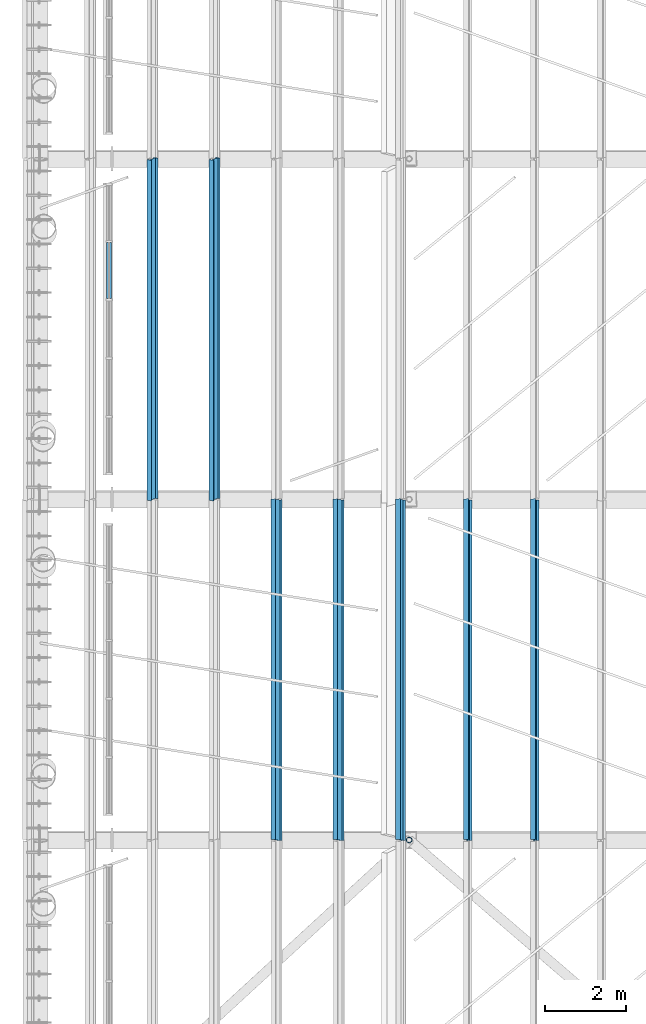
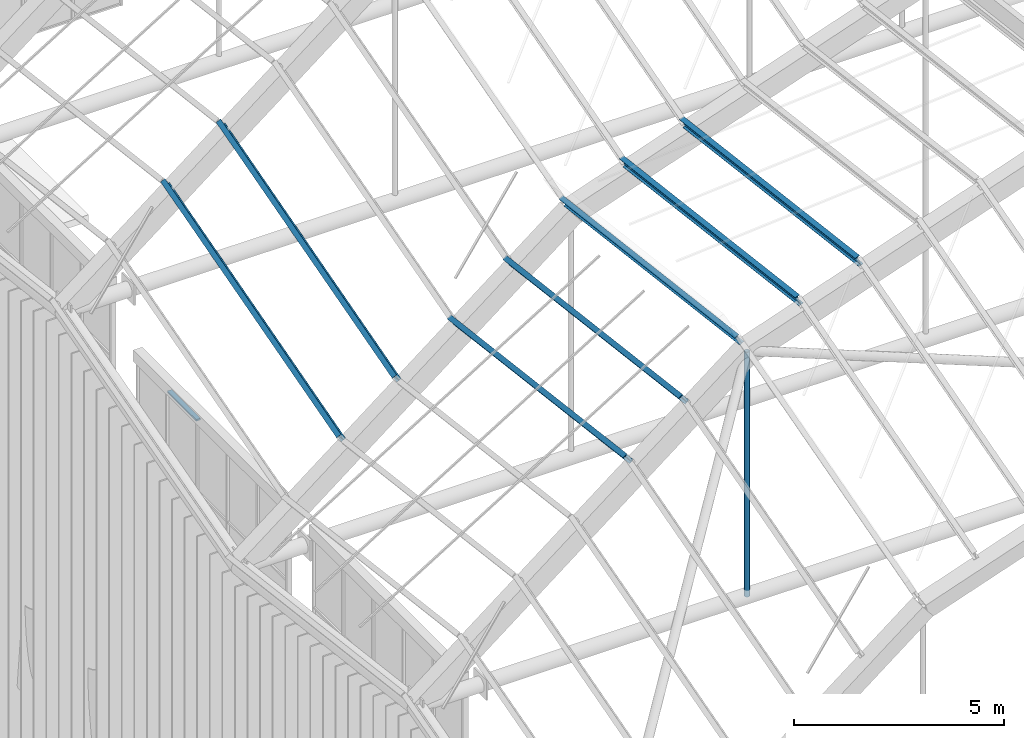
# One storey, part 21 of 126: 9 members, 1 element without a shape of its own.
"""IFC4 building model written with IfcOpenShell, lengths in metres."""

import ifcopenshell
import ifcopenshell.guid

model = None  # the IFC model being written
_history = None  # IfcOwnerHistory: only IFC2X3 demands one
_inside = {}  # id of a spatial element -> (the spatial element, [elements in it])
_under = {}  # id of a project, library or spatial element -> (it, [spatial elements below it])
_declared = {}  # id of a project -> (the project, [libraries it declares])
_typed = {}  # id of a type object -> (the type object, [elements of that type])
_made_of = {}  # id of a material, layer set ... -> (it, [elements and type objects made of it])


def new_model(schema):
    """Start an empty IFC model of exactly this schema.

    Asked for "IFC4X3", IfcOpenShell would pick the latest addendum, in which some entities
    have other attributes; the version numbers below select the first issue.
    IFC2X3 requires an IfcOwnerHistory on every rooted entity: one is made here for all.
    """
    global model, _history
    if schema == "IFC4X3":
        model = ifcopenshell.file(schema_version=(4, 3, 0, 0))
    else:
        model = ifcopenshell.file(schema=schema)
    _inside.clear()
    _under.clear()
    _declared.clear()
    _typed.clear()
    _made_of.clear()
    _history = None
    if model.schema == "IFC2X3":
        org = make("IfcOrganization", Name="unknown")
        user = make(
            "IfcPersonAndOrganization",
            ThePerson=make("IfcPerson", FamilyName="unknown"),
            TheOrganization=org,
        )
        app = make(
            "IfcApplication",
            ApplicationDeveloper=org,
            Version="unknown",
            ApplicationFullName="unknown",
            ApplicationIdentifier="unknown",
        )
        _history = make(
            "IfcOwnerHistory",
            OwningUser=user,
            OwningApplication=app,
            ChangeAction="ADDED",
            CreationDate=0,
        )
    return model


def make(cls, **values):
    """One entity of the class cls with the attributes given. An attribute that is None is left unset."""
    return model.create_entity(
        cls, **{name: value for name, value in values.items() if value is not None}
    )


def rooted(cls, **values):
    """An entity with a GlobalId (a new one), such as an element, a storey or a relation."""
    return make(cls, GlobalId=ifcopenshell.guid.new(), OwnerHistory=_history, **values)


def si_unit(unit_type, name, prefix=None):
    """IfcSIUnit, for example si_unit("LENGTHUNIT", "METRE", prefix="MILLI")."""
    return make("IfcSIUnit", UnitType=unit_type, Prefix=prefix, Name=name)


def assignment(units):
    """IfcUnitAssignment: the units of a project."""
    return None if units is None else make("IfcUnitAssignment", Units=units)


def point(xyz):
    """IfcCartesianPoint."""
    return None if xyz is None else make("IfcCartesianPoint", Coordinates=xyz)


def direction(xyz):
    """IfcDirection."""
    return None if xyz is None else make("IfcDirection", DirectionRatios=xyz)


def frame(location, z_axis=None, x_axis=None):
    """IfcAxis2Placement3D, a coordinate frame: its origin and axes. An axis left out is left unset."""
    return make(
        "IfcAxis2Placement3D",
        Location=point(location),
        Axis=direction(z_axis),
        RefDirection=direction(x_axis),
    )


def frame_2d(location, x_axis=None):
    """IfcAxis2Placement2D, a coordinate frame in the plane: its origin and x axis."""
    return make(
        "IfcAxis2Placement2D", Location=point(location), RefDirection=direction(x_axis)
    )


def origin():
    """The frame at (0, 0, 0) with its axes left unset."""
    return frame((0.0, 0.0, 0.0))


def origin_2d():
    """The frame at (0, 0) in the plane with its x axis left unset."""
    return frame_2d((0.0, 0.0))


def place(relative_to, where):
    """IfcLocalPlacement: puts the frame where relative to a parent placement (None: the world)."""
    return make(
        "IfcLocalPlacement", PlacementRelTo=relative_to, RelativePlacement=where
    )


def context(
    kind, dimensions, precision=None, world=None, true_north=None, identifier=None
):
    """IfcGeometricRepresentationContext, for example the 3D "Model" context."""
    return make(
        "IfcGeometricRepresentationContext",
        ContextIdentifier=identifier,
        ContextType=kind,
        CoordinateSpaceDimension=dimensions,
        Precision=precision,
        WorldCoordinateSystem=world,
        TrueNorth=true_north,
    )


def subcontext(parent, identifier, kind, view, scale=None):
    """IfcGeometricRepresentationSubContext, for example "Body" below "Model"."""
    return make(
        "IfcGeometricRepresentationSubContext",
        ContextIdentifier=identifier,
        ContextType=kind,
        ParentContext=parent,
        TargetScale=scale,
        TargetView=view,
    )


def project(units=None, contexts=None):
    """IfcProject with its units and contexts."""
    return rooted(
        "IfcProject",
        Name="project",
        RepresentationContexts=contexts,
        UnitsInContext=assignment(units),
    )


def spatial(cls, under=None, at=None, **own):
    """A site, building, storey or space (cls), placed at a placement, below another one or the project."""
    s = rooted(cls, ObjectPlacement=at, **own)
    if under is not None:
        _under.setdefault(under.id(), (under, []))[1].append(s)
    return s


def profile(cls, at=None, kind="AREA", **sizes):
    """A parametric profile (cls). Its sizes go by their IFC names, for example OverallWidth=200.0."""
    return make(cls, ProfileType=kind, Position=at, **sizes)


def rectangle(**sizes):
    """IfcRectangleProfileDef."""
    return profile("IfcRectangleProfileDef", **sizes)


def hollow_circle(**sizes):
    """IfcCircleHollowProfileDef."""
    return profile("IfcCircleHollowProfileDef", **sizes)


def i_section(**sizes):
    """IfcIShapeProfileDef."""
    return profile("IfcIShapeProfileDef", **sizes)


def extrude(swept, where, along, depth):
    """IfcExtrudedAreaSolid: the profile swept, set in the frame where, extruded along a direction by depth."""
    return make(
        "IfcExtrudedAreaSolid",
        SweptArea=swept,
        Position=where,
        ExtrudedDirection=direction(along),
        Depth=depth,
    )


def shape(context_of_items, identifier, shape_type, items):
    """IfcShapeRepresentation: the items that make up one representation, for example the "Body"."""
    return make(
        "IfcShapeRepresentation",
        ContextOfItems=context_of_items,
        RepresentationIdentifier=identifier,
        RepresentationType=shape_type,
        Items=items,
    )


def material(Name=None, Category=None):
    """IfcMaterial."""
    return make("IfcMaterial", Name=Name, Category=Category)


def material_profile(
    of_material, cross_section, Name=None, Category=None, Priority=None
):
    """IfcMaterialProfile: a cross section and its material."""
    return make(
        "IfcMaterialProfile",
        Name=Name,
        Material=of_material,
        Profile=cross_section,
        Priority=Priority,
        Category=Category,
    )


def profile_set(profiles, Name=None, composite=None):
    """IfcMaterialProfileSet."""
    return make(
        "IfcMaterialProfileSet",
        Name=Name,
        MaterialProfiles=profiles,
        CompositeProfile=composite,
    )


def made_of(thing, what):
    """Note that an element or type object is made of a material, layer set ...; save() writes the relation."""
    if what is not None:
        _made_of.setdefault(what.id(), (what, []))[1].append(thing)
    return thing


def type_object(cls, material=None, **own):
    """A type object (cls), such as IfcWallType, which elements share."""
    return made_of(rooted(cls, **own), material)


def element(
    cls,
    number,
    at=None,
    inside=None,
    cuts=None,
    type_object=None,
    material=None,
    context=None,
    identifier="Body",
    shape_type=None,
    held_by="IfcProductDefinitionShape",
    body=None,
    shapes=None,
    **own,
):
    """One element of the class cls, such as IfcWall. Its Tag is "e" and its number.

    at: its placement. inside: the storey or other place that contains it. cuts: it is an
    opening in that element (IfcRelVoidsElement). A single representation is given by context,
    identifier, shape_type and body (its items); several are given by shapes. held_by: the class
    of the entity that holds the representations. save() writes the other relations.
    """
    e = rooted(cls, Tag="e%d" % number, ObjectPlacement=at, **own)
    if body is not None:
        shapes = [shape(context, identifier, shape_type, body)]
    if shapes is not None:
        e.Representation = make(held_by, Representations=shapes)
    if inside is not None:
        _inside.setdefault(inside.id(), (inside, []))[1].append(e)
    if cuts is not None:
        rooted(
            "IfcRelVoidsElement", RelatingBuildingElement=cuts, RelatedOpeningElement=e
        )
    if type_object is not None:
        _typed.setdefault(type_object.id(), (type_object, []))[1].append(e)
    return made_of(e, material)


def aggregate(whole, parts):
    """IfcRelAggregates: a whole, such as a stair, and the parts it consists of."""
    return rooted("IfcRelAggregates", RelatingObject=whole, RelatedObjects=parts)


def save(model, path):
    """Write the relations noted so far, then the file.

    IfcRelAggregates (storeys below a building ...), IfcRelContainedInSpatialStructure (elements
    in a storey), IfcRelDefinesByType, IfcRelAssociatesMaterial and IfcRelDeclares: one each for
    every whole, place, type object, material and project.
    """
    for whole, parts in _under.values():
        aggregate(whole, parts)
    for where, things in _inside.values():
        rooted(
            "IfcRelContainedInSpatialStructure",
            RelatedElements=things,
            RelatingStructure=where,
        )
    for kind, things in _typed.values():
        rooted("IfcRelDefinesByType", RelatedObjects=things, RelatingType=kind)
    for what, things in _made_of.values():
        rooted("IfcRelAssociatesMaterial", RelatedObjects=things, RelatingMaterial=what)
    for by, libraries in _declared.values():
        rooted("IfcRelDeclares", RelatingContext=by, RelatedDefinitions=libraries)
    model.write(path)


model = new_model("IFC4")

# Units and contexts
model_context = context("Model", 3, precision=1e-05, world=origin(), true_north=direction((0.0, 1.0)))
body_context = subcontext(model_context, "Body", "Model", "MODEL_VIEW")
ifc_project = project(units=[si_unit("LENGTHUNIT", "METRE"), si_unit("AREAUNIT", "SQUARE_METRE"), si_unit("VOLUMEUNIT", "CUBIC_METRE"), si_unit("PLANEANGLEUNIT", "RADIAN"), si_unit("MASSUNIT", "GRAM", prefix="KILO")], contexts=[model_context])

# Site, building, storey
site_placement = place(None, origin())
site = spatial("IfcSite", under=ifc_project, at=site_placement, CompositionType="ELEMENT")
building_placement = place(site_placement, origin())
building = spatial("IfcBuilding", under=site, at=building_placement, Name="Sava Quay Ferry Terminal", CompositionType="ELEMENT")
storey_placement = place(building_placement, frame((0.0, 0.0, 15.0)))
storey = spatial("IfcBuildingStorey", under=building, at=storey_placement, Name="L03", CompositionType="ELEMENT", Elevation=15.0)

# Members
ifc_material_1 = material(Name="Steel S355", Category="steel")
ifc_material_profile_1 = material_profile(ifc_material_1, i_section(OverallWidth=0.135009765625, OverallDepth=0.27001953125, WebThickness=0.006591796875, FlangeThickness=0.01025390625, at=origin_2d()), Name="IPE 270")
ifc_profile_set_1 = profile_set([ifc_material_profile_1], Name="Steel S355")
member_type_1 = type_object("IfcMemberType", Name="Roof purlin IPE 270", PredefinedType="PURLIN", material=ifc_profile_set_1)
for number, where, z_axis, x_axis, name in (
    (1, (47.8583984375, 58.800048828125, 15.888671875), (0.0, 0.992379601397, -0.123218207788), (-0.790288110365, -0.075500161074, -0.608066138091), "Departure hall purlin bay 2 M0.4"),
    (2, (49.3896484375, 58.800048828125, 17.0849609375), (0.0, 0.992379601397, -0.123218207788), (-0.790288110365, -0.075500161074, -0.608066138091), "Departure hall purlin bay 2 M0.5"),
    (3, (50.920654296875, 58.800048828125, 18.28125), (0.0, 0.992379601397, -0.123218207788), (-0.880257827598, -0.058466508152, -0.4708798407), "Departure hall purlin bay 2 V1"),
    (4, (52.572021484375, 58.800048828125, 18.849853515625), (0.0, 0.992379601397, -0.123218207788), (-0.946280328205, -0.039842287, -0.320883362952), "Departure hall purlin bay 2 M1.1"),
    (5, (54.22314453125, 58.800048828125, 19.41845703125), (0.0, 0.992379601397, -0.123218207788), (-0.946280328205, -0.039842287, -0.320883362952), "Departure hall purlin bay 2 M1.2"),
):
    element("IfcMember", number, at=place(storey_placement, frame(where, z_axis=z_axis, x_axis=x_axis)), inside=storey, type_object=member_type_1, Name=name, PredefinedType="PURLIN", context=body_context, shape_type="SweptSolid", body=[
        extrude(i_section(OverallWidth=0.135009765625, OverallDepth=0.27001953125, WebThickness=0.006591796875, FlangeThickness=0.01025390625, at=origin_2d()), origin(), (0.0, 0.0, 1.0), 8.46435546875),
    ])
for number, where, z_axis, x_axis, name in (
    (6, (44.80078125, 67.199951171875, 12.467529296875), (0.0, 0.962810996405, 0.270175841262), (-0.799142410931, 0.162413978801, -0.578785890067), "Departure hall purlin bay 3 M0.2"),
    (7, (46.33203125, 67.199951171875, 13.663818359375), (0.0, 0.962818275279, 0.270149900588), (-0.799142410931, 0.162398384779, -0.578790265703), "Departure hall purlin bay 3 M0.3"),
):
    element("IfcMember", number, at=place(storey_placement, frame(where, z_axis=z_axis, x_axis=x_axis)), inside=storey, type_object=member_type_1, Name=name, PredefinedType="PURLIN", context=body_context, shape_type="SweptSolid", body=[
        extrude(i_section(OverallWidth=0.135009765625, OverallDepth=0.27001953125, WebThickness=0.006591796875, FlangeThickness=0.01025390625, at=origin_2d()), origin(), (0.0, 0.0, 1.0), 8.724609375),
    ])
ifc_material_2 = material(Name="Steel S355", Category="steel")
ifc_material_profile_2 = material_profile(ifc_material_2, hollow_circle(Radius=0.06982421875, WallThickness=0.008056640625, at=origin_2d()), Name="CHS 139.7 x 8.0")
ifc_profile_set_2 = profile_set([ifc_material_profile_2], Name="Steel S355")
member_type_2 = type_object("IfcMemberType", Name="Tie hanger CHS 139.7x8", PredefinedType="USERDEFINED", material=ifc_profile_set_2)
member_1_placement = place(storey_placement, frame((51.1298828125, 58.800048828125, 10.757080078125), z_axis=(0.0, 0.0, 1.0), x_axis=(1.0, 0.0, 0.0)))
element("IfcMember", 8, at=member_1_placement, inside=storey, type_object=member_type_2, Name="Departure hall tie hanger R1 V1", ObjectType="TIE HANGER", PredefinedType="USERDEFINED", context=body_context, shape_type="SweptSolid", body=[
    extrude(hollow_circle(Radius=0.06982421875, WallThickness=0.008056640625, at=origin_2d()), origin(), (0.0, 0.0, 1.0), 7.133056640625),
])

# Curtain wall, member
ifc_material_3 = material(Name="Aluminium and glass curtain wall, double low-e glazed", Category="aluminium")
curtain_wall_type = type_object("IfcCurtainWallType", Name="Curtain wall CW-F flank", PredefinedType="NOTDEFINED", material=ifc_material_3)
curtain_wall_placement = place(storey_placement, origin())
curtain_wall = element("IfcCurtainWall", 9, at=curtain_wall_placement, inside=storey, type_object=curtain_wall_type, Name="Curtain wall D-W L03 bay 3", PredefinedType="NOTDEFINED")
ifc_material_4 = material(Name="Aluminium EN AW-6063 T6", Category="aluminium")
ifc_material_profile_3 = material_profile(ifc_material_4, rectangle(XDim=0.1201171875, YDim=0.050048828125, at=origin_2d()), Name="Transom 50x120 aluminium")
ifc_profile_set_3 = profile_set([ifc_material_profile_3], Name="Aluminium EN AW-6063 T6")
member_type_3 = type_object("IfcMemberType", Name="Transom 50x120 aluminium", PredefinedType="USERDEFINED", material=ifc_profile_set_3)
member_2_placement = place(storey_placement, frame((43.72509765625, 72.14990234375, 10.375), z_axis=(0.0, 1.0, 0.0), x_axis=(-1.0, 0.0, 0.0)))
member_2 = element("IfcMember", 10, at=member_2_placement, type_object=member_type_3, Name="CW106 transom 4.6", ObjectType="TRANSOM", PredefinedType="USERDEFINED", context=body_context, shape_type="SweptSolid", body=[
    extrude(rectangle(XDim=0.1201171875, YDim=0.050048828125, at=origin_2d()), origin(), (0.0, 0.0, 1.0), 1.380126953125),
])
aggregate(curtain_wall, [member_2])

save(model, "model.ifc")
